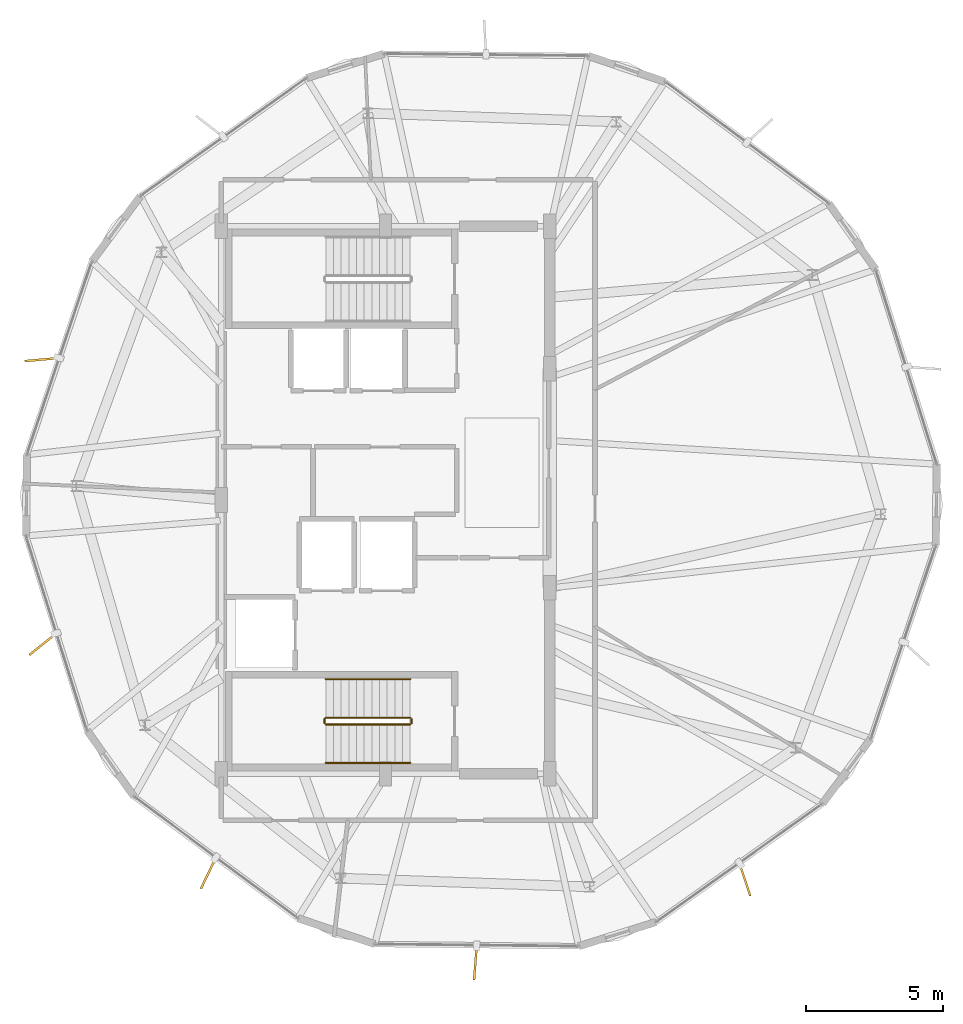
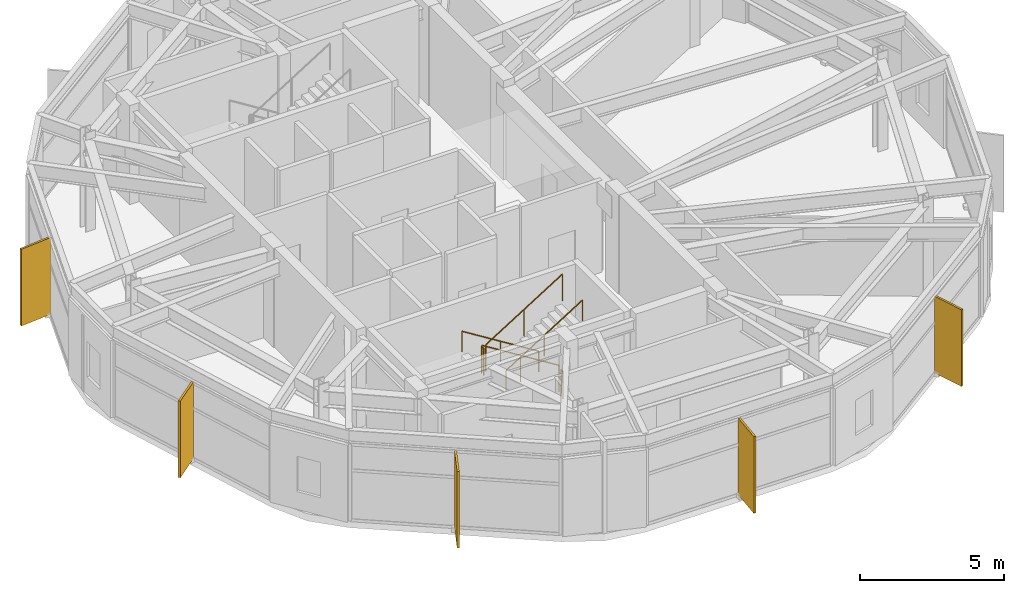
# One storey, part 17 of 19: 6 railings, 5 shading devices.
"""IFC4 building model written with IfcOpenShell, lengths in metres."""

from ifc_helpers import new_model, si_unit, direction, frame, origin, origin_2d, place, context, subcontext, project, spatial, rectangle, circle, extrude, material, layer, layer_set, type_object, element, save


model = new_model("IFC4")

# Units and contexts
model_context = context("Model", 3, precision=1e-05, world=origin(), true_north=direction((0.0, 1.0)))
body_context = subcontext(model_context, "Body", "Model", "MODEL_VIEW")
ifc_project = project(units=[si_unit("LENGTHUNIT", "METRE"), si_unit("AREAUNIT", "SQUARE_METRE"), si_unit("VOLUMEUNIT", "CUBIC_METRE"), si_unit("PLANEANGLEUNIT", "RADIAN"), si_unit("MASSUNIT", "GRAM", prefix="KILO")], contexts=[model_context])

# Site, building, storey
site_placement = place(None, origin())
site = spatial("IfcSite", under=ifc_project, at=site_placement, CompositionType="ELEMENT")
building_placement = place(site_placement, origin())
building = spatial("IfcBuilding", under=site, at=building_placement, Name="Soratama Intermodal Tower", CompositionType="ELEMENT")
storey_placement = place(building_placement, frame((0.0, 0.0, 297.25)))
storey = spatial("IfcBuildingStorey", under=building, at=storey_placement, Name="L75", CompositionType="ELEMENT", Elevation=297.25)

# Railings
ifc_material_1 = material(Name="Painted steel stair guardrail", Category="steel")
railing_type_1 = type_object("IfcRailingType", Name="RL-STAIR-GUARD", PredefinedType="GUARDRAIL", material=ifc_material_1)
railing_1_placement = place(storey_placement, frame((39.5, 17.050048828125, 0.175048828125)))
element("IfcRailing", 1, at=railing_1_placement, inside=storey, type_object=railing_type_1, Name="L75 ST-1 stair guard 1", PredefinedType="GUARDRAIL", context=body_context, shape_type="SweptSolid", body=[
    extrude(circle(Radius=0.02392578125, at=origin_2d()), frame((0.0, 0.0, 1.1259765625), z_axis=(-0.847998304005, 0.0, 0.529998940003), x_axis=(0.0, -1.0, 0.0)), (0.0, 0.0, 1.0), 3.632080078125),
    extrude(circle(Radius=0.02099609375, at=origin_2d()), origin(), (0.0, 0.0, 1.0), 1.101806640625),
    extrude(circle(Radius=0.02099609375, at=origin_2d()), frame((-1.5400390625, 0.0, 0.96240234375)), (0.0, 0.0, 1.0), 1.101806640625),
    extrude(circle(Radius=0.02099609375, at=origin_2d()), frame((-3.080078125, 0.0, 1.925048828125)), (0.0, 0.0, 1.0), 1.101806640625),
])
railing_2_placement = place(storey_placement, frame((36.3701171875, 17.0, 2.10009765625)))
element("IfcRailing", 2, at=railing_2_placement, inside=storey, type_object=railing_type_1, Name="L75 ST-1 stair guard 2", PredefinedType="GUARDRAIL", context=body_context, shape_type="SweptSolid", body=[
    extrude(circle(Radius=0.02392578125, at=origin_2d()), frame((0.0, 0.0, 1.1259765625), z_axis=(0.0, -1.0, 0.0), x_axis=(1.0, 0.0, 0.0)), (0.0, 0.0, 1.0), 0.14990234375),
    extrude(circle(Radius=0.02099609375, at=origin_2d()), origin(), (0.0, 0.0, 1.0), 1.101806640625),
    extrude(circle(Radius=0.02099609375, at=origin_2d()), frame((0.0, -0.14990234375, 0.0)), (0.0, 0.0, 1.0), 1.101806640625),
])
railing_3_placement = place(storey_placement, frame((36.419921875, 16.800048828125, 2.27490234375)))
element("IfcRailing", 3, at=railing_3_placement, inside=storey, type_object=railing_type_1, Name="L75 ST-1 stair guard 3", PredefinedType="GUARDRAIL", context=body_context, shape_type="SweptSolid", body=[
    extrude(circle(Radius=0.02392578125, at=origin_2d()), frame((0.0, 0.0, 1.1259765625), z_axis=(0.847998304005, 0.0, 0.529998940003), x_axis=(0.0, 1.0, 0.0)), (0.0, 0.0, 1.0), 3.632080078125),
    extrude(circle(Radius=0.02099609375, at=origin_2d()), origin(), (0.0, 0.0, 1.0), 1.101806640625),
    extrude(circle(Radius=0.02099609375, at=origin_2d()), frame((1.5400390625, 0.0, 0.96240234375)), (0.0, 0.0, 1.0), 1.101806640625),
    extrude(circle(Radius=0.02099609375, at=origin_2d()), frame((3.080078125, 0.0, 1.925048828125)), (0.0, 0.0, 1.0), 1.101806640625),
])
railing_4_placement = place(storey_placement, frame((39.550048828125, 17.0, 0.0)))
element("IfcRailing", 4, at=railing_4_placement, inside=storey, type_object=railing_type_1, Name="L75 ST-1 stair guard 4", PredefinedType="GUARDRAIL", context=body_context, shape_type="SweptSolid", body=[
    extrude(circle(Radius=0.02392578125, at=origin_2d()), frame((0.0, 0.0, 1.1259765625), z_axis=(0.0, -1.0, 0.0), x_axis=(1.0, 0.0, 0.0)), (0.0, 0.0, 1.0), 0.14990234375),
    extrude(circle(Radius=0.02099609375, at=origin_2d()), origin(), (0.0, 0.0, 1.0), 1.101806640625),
    extrude(circle(Radius=0.02099609375, at=origin_2d()), frame((0.0, -0.14990234375, 0.0)), (0.0, 0.0, 1.0), 1.101806640625),
])
ifc_material_2 = material(Name="Brushed stainless steel handrail", Category="steel")
railing_type_2 = type_object("IfcRailingType", Name="RL-STAIR-HAND", PredefinedType="HANDRAIL", material=ifc_material_2)
railing_5_placement = place(storey_placement, frame((39.5, 18.449951171875, 0.175048828125)))
element("IfcRailing", 5, at=railing_5_placement, inside=storey, type_object=railing_type_2, Name="L75 ST-1 stair handrail 1", PredefinedType="HANDRAIL", context=body_context, shape_type="SweptSolid", body=[
    extrude(circle(Radius=0.02392578125, at=origin_2d()), frame((0.0, 0.0, 0.8759765625), z_axis=(-0.847998304005, 0.0, 0.529998940003), x_axis=(0.0, -1.0, 0.0)), (0.0, 0.0, 1.0), 3.632080078125),
    extrude(circle(Radius=0.02099609375, at=origin_2d()), origin(), (0.0, 0.0, 1.0), 0.851806640625),
    extrude(circle(Radius=0.02099609375, at=origin_2d()), frame((-1.5400390625, 0.0, 0.96240234375)), (0.0, 0.0, 1.0), 0.851806640625),
    extrude(circle(Radius=0.02099609375, at=origin_2d()), frame((-3.080078125, 0.0, 1.925048828125)), (0.0, 0.0, 1.0), 0.851806640625),
])
railing_6_placement = place(storey_placement, frame((36.419921875, 15.39990234375, 2.27490234375)))
element("IfcRailing", 6, at=railing_6_placement, inside=storey, type_object=railing_type_2, Name="L75 ST-1 stair handrail 2", PredefinedType="HANDRAIL", context=body_context, shape_type="SweptSolid", body=[
    extrude(circle(Radius=0.02392578125, at=origin_2d()), frame((0.0, 0.0, 0.8759765625), z_axis=(0.847998304005, 0.0, 0.529998940003), x_axis=(0.0, 1.0, 0.0)), (0.0, 0.0, 1.0), 3.632080078125),
    extrude(circle(Radius=0.02099609375, at=origin_2d()), origin(), (0.0, 0.0, 1.0), 0.851806640625),
    extrude(circle(Radius=0.02099609375, at=origin_2d()), frame((1.5400390625, 0.0, 0.96240234375)), (0.0, 0.0, 1.0), 0.851806640625),
    extrude(circle(Radius=0.02099609375, at=origin_2d()), frame((3.080078125, 0.0, 1.925048828125)), (0.0, 0.0, 1.0), 0.851806640625),
])

# Shading devices
ifc_material_3 = material(Name="Champagne anodised aluminium solar fin", Category="aluminium")
ifc_layer = layer(ifc_material_3, 0.080078125)
ifc_layer_set = layer_set([ifc_layer], Name="Champagne anodised aluminium solar fin")
shading_device_type = type_object("IfcShadingDeviceType", Name="SH-FIN-1250", PredefinedType="USERDEFINED", material=ifc_layer_set)
for number, where, z_axis, x_axis, name in (
    (7, (26.0439453125, 30.1298828125, 0.02001953125), (0.0, 0.0, 1.0), (-0.996041065411, -0.088894296866, 0.0), "L75 Solar Fin F03-1"),
    (8, (26.078369140625, 19.732666015625, 0.02001953125), (0.0, 0.0, 1.0), (-0.779556643439, -0.626331732926, 0.0), "L75 Solar Fin F04-1"),
    (9, (32.123779296875, 11.362548828125, 0.02001953125), (0.0, 0.0, 1.0), (-0.433659084588, -0.901077021322, 0.0), "L75 Solar Fin F05-1"),
    (10, (41.880859375, 8.0947265625, 0.02001953125), (0.0, 0.0, 1.0), (-0.075848906358, -0.997119322551, 0.0), "L75 Solar Fin F06-1"),
    (11, (51.724853515625, 11.131591796875, 0.02001953125), (0.0, 0.0, 1.0), (0.316145823974, -0.948710608133, 0.0), "L75 Solar Fin F07-1"),
):
    element("IfcShadingDevice", number, at=place(storey_placement, frame(where, z_axis=z_axis, x_axis=x_axis)), inside=storey, type_object=shading_device_type, Name=name, ObjectType="FIN", PredefinedType="USERDEFINED", context=body_context, shape_type="SweptSolid", body=[
        extrude(rectangle(XDim=1.25, YDim=0.080078125, at=origin_2d()), origin(), (0.0, 0.0, 1.0), 3.25390625),
    ])

save(model, "model.ifc")
